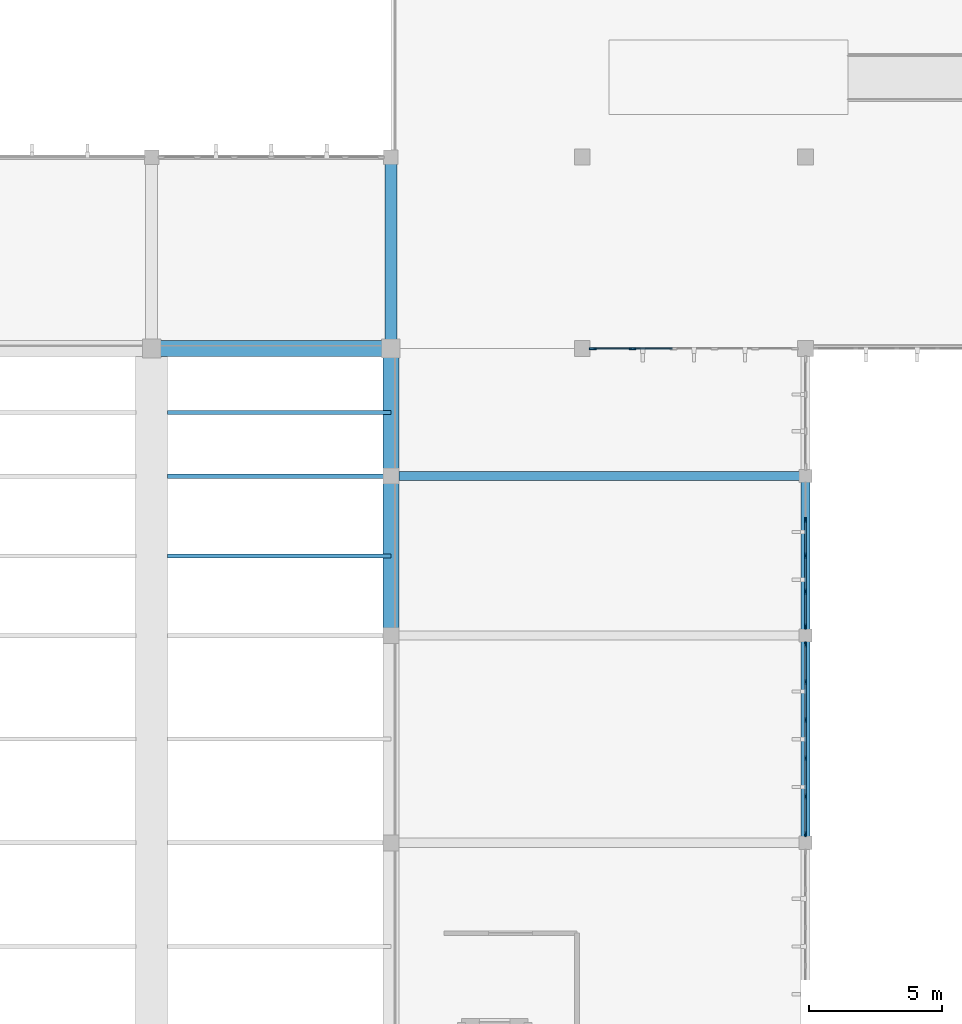
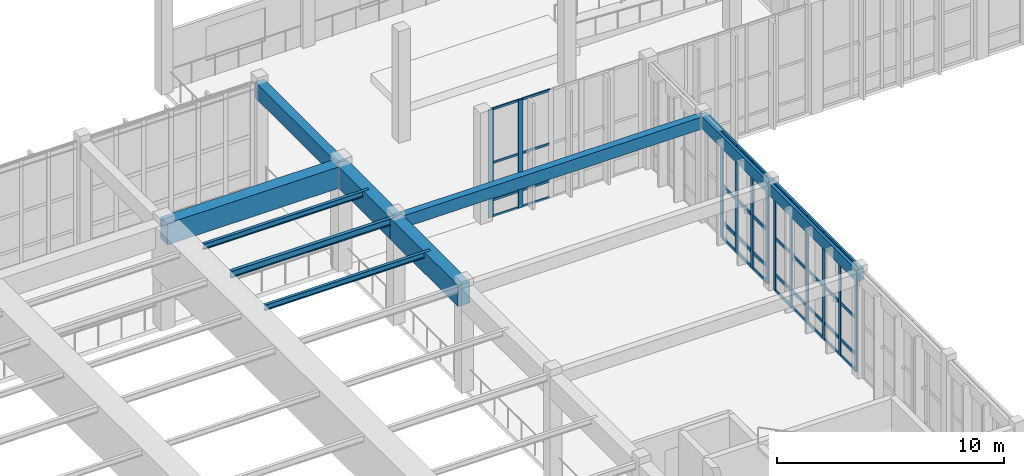
# One storey, part 45 of 105: 52 members, 10 beams, 3 elements without a shape of their own.
"""IFC4 building model written with IfcOpenShell, lengths in metres."""

from ifc_helpers import new_model, si_unit, direction, frame, origin, origin_2d, place, context, subcontext, project, spatial, rectangle, i_section, extrude, material, material_profile, profile_set, type_object, element, aggregate, save


model = new_model("IFC4")

# Units and contexts
model_context = context("Model", 3, precision=1e-05, world=origin(), true_north=direction((0.0, 1.0)))
body_context = subcontext(model_context, "Body", "Model", "MODEL_VIEW")
ifc_project = project(units=[si_unit("LENGTHUNIT", "METRE"), si_unit("AREAUNIT", "SQUARE_METRE"), si_unit("VOLUMEUNIT", "CUBIC_METRE"), si_unit("PLANEANGLEUNIT", "RADIAN"), si_unit("MASSUNIT", "GRAM", prefix="KILO")], contexts=[model_context])

# Site, building, storey
site_placement = place(None, origin())
site = spatial("IfcSite", under=ifc_project, at=site_placement, CompositionType="ELEMENT")
building_placement = place(site_placement, origin())
building = spatial("IfcBuilding", under=site, at=building_placement, Name="Tizgana Railside Sports Hall", CompositionType="ELEMENT")
storey_placement = place(building_placement, frame((0.0, 0.0, 6.0)))
storey = spatial("IfcBuildingStorey", under=building, at=storey_placement, Name="L01", CompositionType="ELEMENT", Elevation=6.0)

# Beams
ifc_material_1 = material(Name="Concrete C35/45", Category="concrete")
ifc_material_profile_1 = material_profile(ifc_material_1, rectangle(XDim=0.35009765625, YDim=0.64990234375, at=origin_2d()), Name="RCB 350x650")
ifc_profile_set_1 = profile_set([ifc_material_profile_1], Name="Concrete C35/45")
beam_type_1 = type_object("IfcBeamType", Name="Concrete Beam RCB 350x650", PredefinedType="BEAM", material=ifc_profile_set_1)
beam_1_placement = place(storey_placement, frame((133.800048828125, 68.39990234375, 5.31103515625), z_axis=(1.0, 0.0, 0.0), x_axis=(0.0, 1.0, 0.0)))
element("IfcBeam", 1, at=beam_1_placement, inside=storey, type_object=beam_type_1, Name="L01 BEM-1384", PredefinedType="BEAM", context=body_context, shape_type="SweptSolid", body=[
    extrude(rectangle(XDim=0.35009765625, YDim=0.64990234375, at=origin_2d()), origin(), (0.0, 0.0, 1.0), 15.599853515625),
])
beam_2_placement = place(storey_placement, frame((149.39990234375, 54.60009765625, 5.361083984375), z_axis=(0.0, 1.0, 0.0), x_axis=(-1.0, 0.0, 0.0)))
element("IfcBeam", 2, at=beam_2_placement, inside=storey, type_object=beam_type_1, Name="L01 BEM-1387", PredefinedType="BEAM", context=body_context, shape_type="SweptSolid", body=[
    extrude(rectangle(XDim=0.35009765625, YDim=0.64990234375, at=origin_2d()), origin(), (0.0, 0.0, 1.0), 7.7998046875),
])
beam_3_placement = place(storey_placement, frame((149.39990234375, 62.39990234375, 5.361083984375), z_axis=(0.0, 1.0, 0.0), x_axis=(-1.0, 0.0, 0.0)))
element("IfcBeam", 3, at=beam_3_placement, inside=storey, type_object=beam_type_1, Name="L01 BEM-1388", PredefinedType="BEAM", context=body_context, shape_type="SweptSolid", body=[
    extrude(rectangle(XDim=0.35009765625, YDim=0.64990234375, at=origin_2d()), origin(), (0.0, 0.0, 1.0), 6.0),
])
ifc_material_2 = material(Name="Concrete C40/50", Category="concrete")
ifc_material_profile_2 = material_profile(ifc_material_2, rectangle(XDim=0.449951171875, YDim=0.85009765625, at=origin_2d()), Name="RCB 450x850")
ifc_profile_set_2 = profile_set([ifc_material_profile_2], Name="Concrete C40/50")
beam_type_2 = type_object("IfcBeamType", Name="Concrete Beam RCB 450x850", PredefinedType="BEAM", material=ifc_profile_set_2)
beam_4_placement = place(storey_placement, frame((133.800048828125, 73.199951171875, 5.2109375), z_axis=(0.0, 1.0, 0.0), x_axis=(-1.0, 0.0, 0.0)))
element("IfcBeam", 4, at=beam_4_placement, inside=storey, type_object=beam_type_2, Name="L01 BEM-0260", PredefinedType="BEAM", context=body_context, shape_type="SweptSolid", body=[
    extrude(rectangle(XDim=0.449951171875, YDim=0.85009765625, at=origin_2d()), origin(), (0.0, 0.0, 1.0), 7.199951171875),
])
ifc_material_profile_3 = material_profile(ifc_material_2, rectangle(XDim=0.60009765625, YDim=1.14990234375, at=origin_2d()), Name="RCB 600x1150")
ifc_profile_set_3 = profile_set([ifc_material_profile_3], Name="Concrete C40/50")
beam_type_3 = type_object("IfcBeamType", Name="Concrete Beam RCB 600x1150", PredefinedType="BEAM", material=ifc_profile_set_3)
beam_5_placement = place(storey_placement, frame((133.800048828125, 62.39990234375, 5.06103515625), z_axis=(0.0, 1.0, 0.0), x_axis=(-1.0, 0.0, 0.0)))
element("IfcBeam", 5, at=beam_5_placement, inside=storey, type_object=beam_type_3, Name="L01 CBG-0009", PredefinedType="BEAM", context=body_context, shape_type="SweptSolid", body=[
    extrude(rectangle(XDim=0.60009765625, YDim=1.14990234375, at=origin_2d()), origin(), (0.0, 0.0, 1.0), 6.0),
])
beam_6_placement = place(storey_placement, frame((133.800048828125, 68.39990234375, 5.06103515625), z_axis=(0.0, 1.0, 0.0), x_axis=(-1.0, 0.0, 0.0)))
element("IfcBeam", 6, at=beam_6_placement, inside=storey, type_object=beam_type_3, Name="L01 CBG-0010", PredefinedType="BEAM", context=body_context, shape_type="SweptSolid", body=[
    extrude(rectangle(XDim=0.60009765625, YDim=1.14990234375, at=origin_2d()), origin(), (0.0, 0.0, 1.0), 4.800048828125),
])
beam_7_placement = place(storey_placement, frame((124.800048828125, 73.199951171875, 5.06103515625), z_axis=(1.0, 0.0, 0.0), x_axis=(0.0, 1.0, 0.0)))
element("IfcBeam", 7, at=beam_7_placement, inside=storey, type_object=beam_type_3, Name="L01 BEM-0326", PredefinedType="BEAM", context=body_context, shape_type="SweptSolid", body=[
    extrude(rectangle(XDim=0.60009765625, YDim=1.14990234375, at=origin_2d()), origin(), (0.0, 0.0, 1.0), 9.0),
])

# Curtain wall, members
ifc_material_3 = material(Name="Anodised aluminium and glass", Category="aluminium")
curtain_wall_type_1 = type_object("IfcCurtainWallType", Name="Unitised Curtain Wall Foyer 1300", PredefinedType="NOTDEFINED", material=ifc_material_3)
curtain_wall_1_placement = place(storey_placement, origin())
curtain_wall_1 = element("IfcCurtainWall", 8, at=curtain_wall_1_placement, inside=storey, type_object=curtain_wall_type_1, Name="L01 Curtain Wall CW-0033", PredefinedType="NOTDEFINED")
ifc_material_4 = material(Name="Anodised aluminium", Category="aluminium")
ifc_material_profile_4 = material_profile(ifc_material_4, rectangle(XDim=0.06494140625, YDim=0.199951171875, at=origin_2d()), Name="Mullion 65x200")
ifc_profile_set_4 = profile_set([ifc_material_profile_4], Name="Anodised aluminium")
member_type_1 = type_object("IfcMemberType", Name="Mullion 65x200", PredefinedType="MULLION", material=ifc_profile_set_4)
member_1_placement = place(storey_placement, frame((149.39990234375, 54.9375, 0.0), z_axis=(0.0, 0.0, 1.0), x_axis=(-1.0, 0.0, 0.0)))
member_1 = element("IfcMember", 9, at=member_1_placement, type_object=member_type_1, Name="CW-02 mullion 1", PredefinedType="MULLION", context=body_context, shape_type="SweptSolid", body=[
    extrude(rectangle(XDim=0.06494140625, YDim=0.199951171875, at=origin_2d()), origin(), (0.0, 0.0, 1.0), 5.68994140625),
])
member_2_placement = place(storey_placement, frame((149.39990234375, 56.343017578125, 0.0), z_axis=(0.0, 0.0, 1.0), x_axis=(-1.0, 0.0, 0.0)))
member_2 = element("IfcMember", 10, at=member_2_placement, type_object=member_type_1, Name="CW-02 mullion 2", PredefinedType="MULLION", context=body_context, shape_type="SweptSolid", body=[
    extrude(rectangle(XDim=0.06494140625, YDim=0.199951171875, at=origin_2d()), origin(), (0.0, 0.0, 1.0), 5.68994140625),
])
member_3_placement = place(storey_placement, frame((149.39990234375, 57.781005859375, 0.0), z_axis=(0.0, 0.0, 1.0), x_axis=(-1.0, 0.0, 0.0)))
member_3 = element("IfcMember", 11, at=member_3_placement, type_object=member_type_1, Name="CW-02 mullion 3", PredefinedType="MULLION", context=body_context, shape_type="SweptSolid", body=[
    extrude(rectangle(XDim=0.06494140625, YDim=0.199951171875, at=origin_2d()), origin(), (0.0, 0.0, 1.0), 5.68994140625),
])
member_4_placement = place(storey_placement, frame((149.39990234375, 59.218994140625, 0.0), z_axis=(0.0, 0.0, 1.0), x_axis=(-1.0, 0.0, 0.0)))
member_4 = element("IfcMember", 12, at=member_4_placement, type_object=member_type_1, Name="CW-02 mullion 4", PredefinedType="MULLION", context=body_context, shape_type="SweptSolid", body=[
    extrude(rectangle(XDim=0.06494140625, YDim=0.199951171875, at=origin_2d()), origin(), (0.0, 0.0, 1.0), 5.68994140625),
])
member_5_placement = place(storey_placement, frame((149.39990234375, 60.656982421875, 0.0), z_axis=(0.0, 0.0, 1.0), x_axis=(-1.0, 0.0, 0.0)))
member_5 = element("IfcMember", 13, at=member_5_placement, type_object=member_type_1, Name="CW-02 mullion 5", PredefinedType="MULLION", context=body_context, shape_type="SweptSolid", body=[
    extrude(rectangle(XDim=0.06494140625, YDim=0.199951171875, at=origin_2d()), origin(), (0.0, 0.0, 1.0), 5.68994140625),
])
member_6_placement = place(storey_placement, frame((149.39990234375, 62.0625, 0.0), z_axis=(0.0, 0.0, 1.0), x_axis=(-1.0, 0.0, 0.0)))
member_6 = element("IfcMember", 14, at=member_6_placement, type_object=member_type_1, Name="CW-02 mullion 6", PredefinedType="MULLION", context=body_context, shape_type="SweptSolid", body=[
    extrude(rectangle(XDim=0.06494140625, YDim=0.199951171875, at=origin_2d()), origin(), (0.0, 0.0, 1.0), 5.68994140625),
])

curtain_wall_type_2 = type_object("IfcCurtainWallType", Name="Unitised Curtain Wall Studio 1400", PredefinedType="NOTDEFINED", material=ifc_material_3)
curtain_wall_2_placement = place(storey_placement, origin())
curtain_wall_2 = element("IfcCurtainWall", 15, at=curtain_wall_2_placement, inside=storey, type_object=curtain_wall_type_2, Name="L01 Curtain Wall CW-0034", PredefinedType="NOTDEFINED")
ifc_material_profile_5 = material_profile(ifc_material_4, rectangle(XDim=0.070068359375, YDim=0.219970703125, at=origin_2d()), Name="Mullion 70x220")
ifc_profile_set_5 = profile_set([ifc_material_profile_5], Name="Anodised aluminium")
member_type_2 = type_object("IfcMemberType", Name="Mullion 70x220", PredefinedType="MULLION", material=ifc_profile_set_5)
member_7_placement = place(storey_placement, frame((149.39990234375, 62.739990234375, 0.0), z_axis=(0.0, 0.0, 1.0), x_axis=(-1.0, 0.0, 0.0)))
member_7 = element("IfcMember", 16, at=member_7_placement, type_object=member_type_2, Name="CW-03 mullion 1", PredefinedType="MULLION", context=body_context, shape_type="SweptSolid", body=[
    extrude(rectangle(XDim=0.070068359375, YDim=0.219970703125, at=origin_2d()), origin(), (0.0, 0.0, 1.0), 5.68994140625),
])
member_8_placement = place(storey_placement, frame((149.39990234375, 64.052490234375, 0.0), z_axis=(0.0, 0.0, 1.0), x_axis=(-1.0, 0.0, 0.0)))
member_8 = element("IfcMember", 17, at=member_8_placement, type_object=member_type_2, Name="CW-03 mullion 2", PredefinedType="MULLION", context=body_context, shape_type="SweptSolid", body=[
    extrude(rectangle(XDim=0.070068359375, YDim=0.219970703125, at=origin_2d()), origin(), (0.0, 0.0, 1.0), 5.68994140625),
])
member_9_placement = place(storey_placement, frame((149.39990234375, 65.39990234375, 0.0), z_axis=(0.0, 0.0, 1.0), x_axis=(-1.0, 0.0, 0.0)))
member_9 = element("IfcMember", 18, at=member_9_placement, type_object=member_type_2, Name="CW-03 mullion 3", PredefinedType="MULLION", context=body_context, shape_type="SweptSolid", body=[
    extrude(rectangle(XDim=0.070068359375, YDim=0.219970703125, at=origin_2d()), origin(), (0.0, 0.0, 1.0), 5.68994140625),
])
member_10_placement = place(storey_placement, frame((149.39990234375, 66.74755859375, 0.0), z_axis=(0.0, 0.0, 1.0), x_axis=(-1.0, 0.0, 0.0)))
member_10 = element("IfcMember", 19, at=member_10_placement, type_object=member_type_2, Name="CW-03 mullion 4", PredefinedType="MULLION", context=body_context, shape_type="SweptSolid", body=[
    extrude(rectangle(XDim=0.070068359375, YDim=0.219970703125, at=origin_2d()), origin(), (0.0, 0.0, 1.0), 5.68994140625),
])

curtain_wall_type_3 = type_object("IfcCurtainWallType", Name="Unitised Curtain Wall EastHall 1500", PredefinedType="NOTDEFINED", material=ifc_material_3)
curtain_wall_3_placement = place(storey_placement, origin())
curtain_wall_3 = element("IfcCurtainWall", 20, at=curtain_wall_3_placement, inside=storey, type_object=curtain_wall_type_3, Name="L01 Curtain Wall CW-0071", PredefinedType="NOTDEFINED")
ifc_material_profile_6 = material_profile(ifc_material_4, rectangle(XDim=0.074951171875, YDim=0.25, at=origin_2d()), Name="Mullion 75x250")
ifc_profile_set_6 = profile_set([ifc_material_profile_6], Name="Anodised aluminium")
member_type_3 = type_object("IfcMemberType", Name="Mullion 75x250", PredefinedType="MULLION", material=ifc_profile_set_6)
member_11_placement = place(storey_placement, frame((142.89306640625, 73.199951171875, 0.0), z_axis=(0.0, 0.0, 1.0), x_axis=(0.0, -1.0, 0.0)))
member_11 = element("IfcMember", 21, at=member_11_placement, type_object=member_type_3, Name="CW-08 mullion 5", PredefinedType="MULLION", context=body_context, shape_type="SweptSolid", body=[
    extrude(rectangle(XDim=0.074951171875, YDim=0.25, at=origin_2d()), origin(), (0.0, 0.0, 1.0), 5.800048828125),
])
member_12_placement = place(storey_placement, frame((141.392578125, 73.199951171875, 0.0), z_axis=(0.0, 0.0, 1.0), x_axis=(0.0, -1.0, 0.0)))
member_12 = element("IfcMember", 22, at=member_12_placement, type_object=member_type_3, Name="CW-08 mullion 6", PredefinedType="MULLION", context=body_context, shape_type="SweptSolid", body=[
    extrude(rectangle(XDim=0.074951171875, YDim=0.25, at=origin_2d()), origin(), (0.0, 0.0, 1.0), 5.800048828125),
])

# Beams
ifc_material_5 = material(Name="Steel S355J2", Category="steel")
ifc_material_profile_7 = material_profile(ifc_material_5, i_section(OverallWidth=0.14990234375, OverallDepth=0.300048828125, WebThickness=0.007080078125, FlangeThickness=0.0107421875, FilletRadius=0.014892578125, at=origin_2d()), Name="IPE 300")
ifc_profile_set_7 = profile_set([ifc_material_profile_7], Name="Steel S355J2")
beam_type_4 = type_object("IfcBeamType", Name="Steel Joist IPE 300", PredefinedType="JOIST", material=ifc_profile_set_7)
for number, where, z_axis, x_axis, name in (
    (23, (125.39501953125, 65.39990234375, 5.486083984375), (1.0, 0.0, 0.0), (0.0, 1.0, 0.0), "L01 BEM-0331"),
    (24, (125.39501953125, 70.800048828125, 5.486083984375), (1.0, 0.0, 0.0), (0.0, 1.0, 0.0), "L01 BEM-0332"),
):
    element("IfcBeam", number, at=place(storey_placement, frame(where, z_axis=z_axis, x_axis=x_axis)), inside=storey, type_object=beam_type_4, Name=name, PredefinedType="JOIST", context=body_context, shape_type="SweptSolid", body=[
        extrude(i_section(OverallWidth=0.14990234375, OverallDepth=0.300048828125, WebThickness=0.007080078125, FlangeThickness=0.0107421875, FilletRadius=0.014892578125, at=origin_2d()), origin(), (0.0, 0.0, 1.0), 8.405029296875),
    ])
ifc_material_profile_8 = material_profile(ifc_material_5, i_section(OverallWidth=0.169921875, OverallDepth=0.360107421875, WebThickness=0.008056640625, FlangeThickness=0.0126953125, FilletRadius=0.01806640625, at=origin_2d()), Name="IPE 360")
ifc_profile_set_8 = profile_set([ifc_material_profile_8], Name="Steel S355J2")
beam_type_5 = type_object("IfcBeamType", Name="Steel Joist IPE 360", PredefinedType="JOIST", material=ifc_profile_set_8)
beam_8_placement = place(storey_placement, frame((125.39501953125, 68.39990234375, 5.4560546875), z_axis=(1.0, 0.0, 0.0), x_axis=(0.0, 1.0, 0.0)))
element("IfcBeam", 25, at=beam_8_placement, inside=storey, type_object=beam_type_5, Name="L01 BEM-0325", PredefinedType="JOIST", context=body_context, shape_type="SweptSolid", body=[
    extrude(i_section(OverallWidth=0.169921875, OverallDepth=0.360107421875, WebThickness=0.008056640625, FlangeThickness=0.0126953125, FilletRadius=0.01806640625, at=origin_2d()), origin(), (0.0, 0.0, 1.0), 8.405029296875),
])

# Member
ifc_material_profile_9 = material_profile(ifc_material_4, rectangle(XDim=0.054931640625, YDim=0.1201171875, at=origin_2d()), Name="Transom 55x120")
ifc_profile_set_9 = profile_set([ifc_material_profile_9], Name="Anodised aluminium")
member_type_4 = type_object("IfcMemberType", Name="Transom 55x120", PredefinedType="USERDEFINED", material=ifc_profile_set_9)
member_13_placement = place(storey_placement, frame((144.3935546875, 73.199951171875, 0.027587890625), z_axis=(-1.0, 0.0, 0.0), x_axis=(0.0, -1.0, 0.0)))
member_13 = element("IfcMember", 26, at=member_13_placement, type_object=member_type_4, Name="CW-08 transom 4.1", ObjectType="TRANSOM", PredefinedType="USERDEFINED", context=body_context, shape_type="SweptSolid", body=[
    extrude(rectangle(XDim=0.054931640625, YDim=0.1201171875, at=origin_2d()), origin(), (0.0, 0.0, 1.0), 1.463134765625),
])

member_14_placement = place(storey_placement, frame((144.3935546875, 73.199951171875, 0.89990234375), z_axis=(-1.0, 0.0, 0.0), x_axis=(0.0, -1.0, 0.0)))
member_14 = element("IfcMember", 27, at=member_14_placement, type_object=member_type_4, Name="CW-08 transom 4.2", ObjectType="TRANSOM", PredefinedType="USERDEFINED", context=body_context, shape_type="SweptSolid", body=[
    extrude(rectangle(XDim=0.054931640625, YDim=0.1201171875, at=origin_2d()), origin(), (0.0, 0.0, 1.0), 1.463134765625),
])

member_15_placement = place(storey_placement, frame((144.3935546875, 73.199951171875, 2.89990234375), z_axis=(-1.0, 0.0, 0.0), x_axis=(0.0, -1.0, 0.0)))
member_15 = element("IfcMember", 28, at=member_15_placement, type_object=member_type_4, Name="CW-08 transom 4.3", ObjectType="TRANSOM", PredefinedType="USERDEFINED", context=body_context, shape_type="SweptSolid", body=[
    extrude(rectangle(XDim=0.054931640625, YDim=0.1201171875, at=origin_2d()), origin(), (0.0, 0.0, 1.0), 1.463134765625),
])

member_16_placement = place(storey_placement, frame((144.3935546875, 73.199951171875, 5.7724609375), z_axis=(-1.0, 0.0, 0.0), x_axis=(0.0, -1.0, 0.0)))
member_16 = element("IfcMember", 29, at=member_16_placement, type_object=member_type_4, Name="CW-08 transom 4.4", ObjectType="TRANSOM", PredefinedType="USERDEFINED", context=body_context, shape_type="SweptSolid", body=[
    extrude(rectangle(XDim=0.054931640625, YDim=0.1201171875, at=origin_2d()), origin(), (0.0, 0.0, 1.0), 1.463134765625),
])

member_17_placement = place(storey_placement, frame((142.85546875, 73.199951171875, 0.027587890625), z_axis=(-1.0, 0.0, 0.0), x_axis=(0.0, -1.0, 0.0)))
member_17 = element("IfcMember", 30, at=member_17_placement, type_object=member_type_4, Name="CW-08 transom 5.1", ObjectType="TRANSOM", PredefinedType="USERDEFINED", context=body_context, shape_type="SweptSolid", body=[
    extrude(rectangle(XDim=0.054931640625, YDim=0.1201171875, at=origin_2d()), origin(), (0.0, 0.0, 1.0), 1.425537109375),
])

member_18_placement = place(storey_placement, frame((142.85546875, 73.199951171875, 0.89990234375), z_axis=(-1.0, 0.0, 0.0), x_axis=(0.0, -1.0, 0.0)))
member_18 = element("IfcMember", 31, at=member_18_placement, type_object=member_type_4, Name="CW-08 transom 5.2", ObjectType="TRANSOM", PredefinedType="USERDEFINED", context=body_context, shape_type="SweptSolid", body=[
    extrude(rectangle(XDim=0.054931640625, YDim=0.1201171875, at=origin_2d()), origin(), (0.0, 0.0, 1.0), 1.425537109375),
])

member_19_placement = place(storey_placement, frame((142.85546875, 73.199951171875, 2.89990234375), z_axis=(-1.0, 0.0, 0.0), x_axis=(0.0, -1.0, 0.0)))
member_19 = element("IfcMember", 32, at=member_19_placement, type_object=member_type_4, Name="CW-08 transom 5.3", ObjectType="TRANSOM", PredefinedType="USERDEFINED", context=body_context, shape_type="SweptSolid", body=[
    extrude(rectangle(XDim=0.054931640625, YDim=0.1201171875, at=origin_2d()), origin(), (0.0, 0.0, 1.0), 1.425537109375),
])

member_20_placement = place(storey_placement, frame((142.85546875, 73.199951171875, 5.7724609375), z_axis=(-1.0, 0.0, 0.0), x_axis=(0.0, -1.0, 0.0)))
member_20 = element("IfcMember", 33, at=member_20_placement, type_object=member_type_4, Name="CW-08 transom 5.4", ObjectType="TRANSOM", PredefinedType="USERDEFINED", context=body_context, shape_type="SweptSolid", body=[
    extrude(rectangle(XDim=0.054931640625, YDim=0.1201171875, at=origin_2d()), origin(), (0.0, 0.0, 1.0), 1.425537109375),
])

aggregate(curtain_wall_3, [member_11, member_12, member_13, member_14, member_15, member_16, member_17, member_18, member_19, member_20])

ifc_material_profile_10 = material_profile(ifc_material_4, rectangle(XDim=0.06494140625, YDim=0.169921875, at=origin_2d()), Name="Transom 65x170")
ifc_profile_set_10 = profile_set([ifc_material_profile_10], Name="Anodised aluminium")
member_type_5 = type_object("IfcMemberType", Name="Transom 65x170", PredefinedType="USERDEFINED", material=ifc_profile_set_10)
member_21_placement = place(storey_placement, frame((149.39990234375, 54.969970703125, 0.032470703125), z_axis=(0.0, 1.0, 0.0), x_axis=(-1.0, 0.0, 0.0)))
member_21 = element("IfcMember", 34, at=member_21_placement, type_object=member_type_5, Name="CW-02 transom 1.1", ObjectType="TRANSOM", PredefinedType="USERDEFINED", context=body_context, shape_type="SweptSolid", body=[
    extrude(rectangle(XDim=0.06494140625, YDim=0.169921875, at=origin_2d()), origin(), (0.0, 0.0, 1.0), 1.340576171875),
])

member_22_placement = place(storey_placement, frame((149.39990234375, 54.969970703125, 0.89990234375), z_axis=(0.0, 1.0, 0.0), x_axis=(-1.0, 0.0, 0.0)))
member_22 = element("IfcMember", 35, at=member_22_placement, type_object=member_type_5, Name="CW-02 transom 1.2", ObjectType="TRANSOM", PredefinedType="USERDEFINED", context=body_context, shape_type="SweptSolid", body=[
    extrude(rectangle(XDim=0.06494140625, YDim=0.169921875, at=origin_2d()), origin(), (0.0, 0.0, 1.0), 1.340576171875),
])

member_23_placement = place(storey_placement, frame((149.39990234375, 54.969970703125, 2.844970703125), z_axis=(0.0, 1.0, 0.0), x_axis=(-1.0, 0.0, 0.0)))
member_23 = element("IfcMember", 36, at=member_23_placement, type_object=member_type_5, Name="CW-02 transom 1.3", ObjectType="TRANSOM", PredefinedType="USERDEFINED", context=body_context, shape_type="SweptSolid", body=[
    extrude(rectangle(XDim=0.06494140625, YDim=0.169921875, at=origin_2d()), origin(), (0.0, 0.0, 1.0), 1.340576171875),
])

member_24_placement = place(storey_placement, frame((149.39990234375, 54.969970703125, 5.657470703125), z_axis=(0.0, 1.0, 0.0), x_axis=(-1.0, 0.0, 0.0)))
member_24 = element("IfcMember", 37, at=member_24_placement, type_object=member_type_5, Name="CW-02 transom 1.4", ObjectType="TRANSOM", PredefinedType="USERDEFINED", context=body_context, shape_type="SweptSolid", body=[
    extrude(rectangle(XDim=0.06494140625, YDim=0.169921875, at=origin_2d()), origin(), (0.0, 0.0, 1.0), 1.340576171875),
])

member_25_placement = place(storey_placement, frame((149.39990234375, 56.37548828125, 0.032470703125), z_axis=(0.0, 1.0, 0.0), x_axis=(-1.0, 0.0, 0.0)))
member_25 = element("IfcMember", 38, at=member_25_placement, type_object=member_type_5, Name="CW-02 transom 2.1", ObjectType="TRANSOM", PredefinedType="USERDEFINED", context=body_context, shape_type="SweptSolid", body=[
    extrude(rectangle(XDim=0.06494140625, YDim=0.169921875, at=origin_2d()), origin(), (0.0, 0.0, 1.0), 1.373046875),
])

member_26_placement = place(storey_placement, frame((149.39990234375, 56.37548828125, 0.89990234375), z_axis=(0.0, 1.0, 0.0), x_axis=(-1.0, 0.0, 0.0)))
member_26 = element("IfcMember", 39, at=member_26_placement, type_object=member_type_5, Name="CW-02 transom 2.2", ObjectType="TRANSOM", PredefinedType="USERDEFINED", context=body_context, shape_type="SweptSolid", body=[
    extrude(rectangle(XDim=0.06494140625, YDim=0.169921875, at=origin_2d()), origin(), (0.0, 0.0, 1.0), 1.373046875),
])

member_27_placement = place(storey_placement, frame((149.39990234375, 56.37548828125, 2.844970703125), z_axis=(0.0, 1.0, 0.0), x_axis=(-1.0, 0.0, 0.0)))
member_27 = element("IfcMember", 40, at=member_27_placement, type_object=member_type_5, Name="CW-02 transom 2.3", ObjectType="TRANSOM", PredefinedType="USERDEFINED", context=body_context, shape_type="SweptSolid", body=[
    extrude(rectangle(XDim=0.06494140625, YDim=0.169921875, at=origin_2d()), origin(), (0.0, 0.0, 1.0), 1.373046875),
])

member_28_placement = place(storey_placement, frame((149.39990234375, 56.37548828125, 5.657470703125), z_axis=(0.0, 1.0, 0.0), x_axis=(-1.0, 0.0, 0.0)))
member_28 = element("IfcMember", 41, at=member_28_placement, type_object=member_type_5, Name="CW-02 transom 2.4", ObjectType="TRANSOM", PredefinedType="USERDEFINED", context=body_context, shape_type="SweptSolid", body=[
    extrude(rectangle(XDim=0.06494140625, YDim=0.169921875, at=origin_2d()), origin(), (0.0, 0.0, 1.0), 1.373046875),
])

member_29_placement = place(storey_placement, frame((149.39990234375, 57.8134765625, 0.032470703125), z_axis=(0.0, 1.0, 0.0), x_axis=(-1.0, 0.0, 0.0)))
member_29 = element("IfcMember", 42, at=member_29_placement, type_object=member_type_5, Name="CW-02 transom 3.1", ObjectType="TRANSOM", PredefinedType="USERDEFINED", context=body_context, shape_type="SweptSolid", body=[
    extrude(rectangle(XDim=0.06494140625, YDim=0.169921875, at=origin_2d()), origin(), (0.0, 0.0, 1.0), 1.373046875),
])

member_30_placement = place(storey_placement, frame((149.39990234375, 57.8134765625, 0.89990234375), z_axis=(0.0, 1.0, 0.0), x_axis=(-1.0, 0.0, 0.0)))
member_30 = element("IfcMember", 43, at=member_30_placement, type_object=member_type_5, Name="CW-02 transom 3.2", ObjectType="TRANSOM", PredefinedType="USERDEFINED", context=body_context, shape_type="SweptSolid", body=[
    extrude(rectangle(XDim=0.06494140625, YDim=0.169921875, at=origin_2d()), origin(), (0.0, 0.0, 1.0), 1.373046875),
])

member_31_placement = place(storey_placement, frame((149.39990234375, 57.8134765625, 2.844970703125), z_axis=(0.0, 1.0, 0.0), x_axis=(-1.0, 0.0, 0.0)))
member_31 = element("IfcMember", 44, at=member_31_placement, type_object=member_type_5, Name="CW-02 transom 3.3", ObjectType="TRANSOM", PredefinedType="USERDEFINED", context=body_context, shape_type="SweptSolid", body=[
    extrude(rectangle(XDim=0.06494140625, YDim=0.169921875, at=origin_2d()), origin(), (0.0, 0.0, 1.0), 1.373046875),
])

member_32_placement = place(storey_placement, frame((149.39990234375, 57.8134765625, 5.657470703125), z_axis=(0.0, 1.0, 0.0), x_axis=(-1.0, 0.0, 0.0)))
member_32 = element("IfcMember", 45, at=member_32_placement, type_object=member_type_5, Name="CW-02 transom 3.4", ObjectType="TRANSOM", PredefinedType="USERDEFINED", context=body_context, shape_type="SweptSolid", body=[
    extrude(rectangle(XDim=0.06494140625, YDim=0.169921875, at=origin_2d()), origin(), (0.0, 0.0, 1.0), 1.373046875),
])

member_33_placement = place(storey_placement, frame((149.39990234375, 59.25146484375, 0.032470703125), z_axis=(0.0, 1.0, 0.0), x_axis=(-1.0, 0.0, 0.0)))
member_33 = element("IfcMember", 46, at=member_33_placement, type_object=member_type_5, Name="CW-02 transom 4.1", ObjectType="TRANSOM", PredefinedType="USERDEFINED", context=body_context, shape_type="SweptSolid", body=[
    extrude(rectangle(XDim=0.06494140625, YDim=0.169921875, at=origin_2d()), origin(), (0.0, 0.0, 1.0), 1.373046875),
])

member_34_placement = place(storey_placement, frame((149.39990234375, 59.25146484375, 0.89990234375), z_axis=(0.0, 1.0, 0.0), x_axis=(-1.0, 0.0, 0.0)))
member_34 = element("IfcMember", 47, at=member_34_placement, type_object=member_type_5, Name="CW-02 transom 4.2", ObjectType="TRANSOM", PredefinedType="USERDEFINED", context=body_context, shape_type="SweptSolid", body=[
    extrude(rectangle(XDim=0.06494140625, YDim=0.169921875, at=origin_2d()), origin(), (0.0, 0.0, 1.0), 1.373046875),
])

member_35_placement = place(storey_placement, frame((149.39990234375, 59.25146484375, 2.844970703125), z_axis=(0.0, 1.0, 0.0), x_axis=(-1.0, 0.0, 0.0)))
member_35 = element("IfcMember", 48, at=member_35_placement, type_object=member_type_5, Name="CW-02 transom 4.3", ObjectType="TRANSOM", PredefinedType="USERDEFINED", context=body_context, shape_type="SweptSolid", body=[
    extrude(rectangle(XDim=0.06494140625, YDim=0.169921875, at=origin_2d()), origin(), (0.0, 0.0, 1.0), 1.373046875),
])

member_36_placement = place(storey_placement, frame((149.39990234375, 59.25146484375, 5.657470703125), z_axis=(0.0, 1.0, 0.0), x_axis=(-1.0, 0.0, 0.0)))
member_36 = element("IfcMember", 49, at=member_36_placement, type_object=member_type_5, Name="CW-02 transom 4.4", ObjectType="TRANSOM", PredefinedType="USERDEFINED", context=body_context, shape_type="SweptSolid", body=[
    extrude(rectangle(XDim=0.06494140625, YDim=0.169921875, at=origin_2d()), origin(), (0.0, 0.0, 1.0), 1.373046875),
])

member_37_placement = place(storey_placement, frame((149.39990234375, 60.689453125, 0.032470703125), z_axis=(0.0, 1.0, 0.0), x_axis=(-1.0, 0.0, 0.0)))
member_37 = element("IfcMember", 50, at=member_37_placement, type_object=member_type_5, Name="CW-02 transom 5.1", ObjectType="TRANSOM", PredefinedType="USERDEFINED", context=body_context, shape_type="SweptSolid", body=[
    extrude(rectangle(XDim=0.06494140625, YDim=0.169921875, at=origin_2d()), origin(), (0.0, 0.0, 1.0), 1.340576171875),
])

member_38_placement = place(storey_placement, frame((149.39990234375, 60.689453125, 0.89990234375), z_axis=(0.0, 1.0, 0.0), x_axis=(-1.0, 0.0, 0.0)))
member_38 = element("IfcMember", 51, at=member_38_placement, type_object=member_type_5, Name="CW-02 transom 5.2", ObjectType="TRANSOM", PredefinedType="USERDEFINED", context=body_context, shape_type="SweptSolid", body=[
    extrude(rectangle(XDim=0.06494140625, YDim=0.169921875, at=origin_2d()), origin(), (0.0, 0.0, 1.0), 1.340576171875),
])

member_39_placement = place(storey_placement, frame((149.39990234375, 60.689453125, 2.844970703125), z_axis=(0.0, 1.0, 0.0), x_axis=(-1.0, 0.0, 0.0)))
member_39 = element("IfcMember", 52, at=member_39_placement, type_object=member_type_5, Name="CW-02 transom 5.3", ObjectType="TRANSOM", PredefinedType="USERDEFINED", context=body_context, shape_type="SweptSolid", body=[
    extrude(rectangle(XDim=0.06494140625, YDim=0.169921875, at=origin_2d()), origin(), (0.0, 0.0, 1.0), 1.340576171875),
])

member_40_placement = place(storey_placement, frame((149.39990234375, 60.689453125, 5.657470703125), z_axis=(0.0, 1.0, 0.0), x_axis=(-1.0, 0.0, 0.0)))
member_40 = element("IfcMember", 53, at=member_40_placement, type_object=member_type_5, Name="CW-02 transom 5.4", ObjectType="TRANSOM", PredefinedType="USERDEFINED", context=body_context, shape_type="SweptSolid", body=[
    extrude(rectangle(XDim=0.06494140625, YDim=0.169921875, at=origin_2d()), origin(), (0.0, 0.0, 1.0), 1.340576171875),
])

aggregate(curtain_wall_1, [member_1, member_2, member_3, member_4, member_5, member_6, member_21, member_22, member_23, member_24, member_25, member_26, member_27, member_28, member_29, member_30, member_31, member_32, member_33, member_34, member_35, member_36, member_37, member_38, member_39, member_40])

ifc_material_profile_11 = material_profile(ifc_material_4, rectangle(XDim=0.070068359375, YDim=0.18994140625, at=origin_2d()), Name="Transom 70x190")
ifc_profile_set_11 = profile_set([ifc_material_profile_11], Name="Anodised aluminium")
member_type_6 = type_object("IfcMemberType", Name="Transom 70x190", PredefinedType="USERDEFINED", material=ifc_profile_set_11)
member_41_placement = place(storey_placement, frame((149.39990234375, 62.77490234375, 0.034912109375), z_axis=(0.0, 1.0, 0.0), x_axis=(-1.0, 0.0, 0.0)))
member_41 = element("IfcMember", 54, at=member_41_placement, type_object=member_type_6, Name="CW-03 transom 1.1", ObjectType="TRANSOM", PredefinedType="USERDEFINED", context=body_context, shape_type="SweptSolid", body=[
    extrude(rectangle(XDim=0.070068359375, YDim=0.18994140625, at=origin_2d()), origin(), (0.0, 0.0, 1.0), 1.24267578125),
])

member_42_placement = place(storey_placement, frame((149.39990234375, 62.77490234375, 0.89990234375), z_axis=(0.0, 1.0, 0.0), x_axis=(-1.0, 0.0, 0.0)))
member_42 = element("IfcMember", 55, at=member_42_placement, type_object=member_type_6, Name="CW-03 transom 1.2", ObjectType="TRANSOM", PredefinedType="USERDEFINED", context=body_context, shape_type="SweptSolid", body=[
    extrude(rectangle(XDim=0.070068359375, YDim=0.18994140625, at=origin_2d()), origin(), (0.0, 0.0, 1.0), 1.24267578125),
])

member_43_placement = place(storey_placement, frame((149.39990234375, 62.77490234375, 2.844970703125), z_axis=(0.0, 1.0, 0.0), x_axis=(-1.0, 0.0, 0.0)))
member_43 = element("IfcMember", 56, at=member_43_placement, type_object=member_type_6, Name="CW-03 transom 1.3", ObjectType="TRANSOM", PredefinedType="USERDEFINED", context=body_context, shape_type="SweptSolid", body=[
    extrude(rectangle(XDim=0.070068359375, YDim=0.18994140625, at=origin_2d()), origin(), (0.0, 0.0, 1.0), 1.24267578125),
])

member_44_placement = place(storey_placement, frame((149.39990234375, 62.77490234375, 5.655029296875), z_axis=(0.0, 1.0, 0.0), x_axis=(-1.0, 0.0, 0.0)))
member_44 = element("IfcMember", 57, at=member_44_placement, type_object=member_type_6, Name="CW-03 transom 1.4", ObjectType="TRANSOM", PredefinedType="USERDEFINED", context=body_context, shape_type="SweptSolid", body=[
    extrude(rectangle(XDim=0.070068359375, YDim=0.18994140625, at=origin_2d()), origin(), (0.0, 0.0, 1.0), 1.24267578125),
])

member_45_placement = place(storey_placement, frame((149.39990234375, 64.08740234375, 0.034912109375), z_axis=(0.0, 1.0, 0.0), x_axis=(-1.0, 0.0, 0.0)))
member_45 = element("IfcMember", 58, at=member_45_placement, type_object=member_type_6, Name="CW-03 transom 2.1", ObjectType="TRANSOM", PredefinedType="USERDEFINED", context=body_context, shape_type="SweptSolid", body=[
    extrude(rectangle(XDim=0.070068359375, YDim=0.18994140625, at=origin_2d()), origin(), (0.0, 0.0, 1.0), 1.277587890625),
])

member_46_placement = place(storey_placement, frame((149.39990234375, 64.08740234375, 0.89990234375), z_axis=(0.0, 1.0, 0.0), x_axis=(-1.0, 0.0, 0.0)))
member_46 = element("IfcMember", 59, at=member_46_placement, type_object=member_type_6, Name="CW-03 transom 2.2", ObjectType="TRANSOM", PredefinedType="USERDEFINED", context=body_context, shape_type="SweptSolid", body=[
    extrude(rectangle(XDim=0.070068359375, YDim=0.18994140625, at=origin_2d()), origin(), (0.0, 0.0, 1.0), 1.277587890625),
])

member_47_placement = place(storey_placement, frame((149.39990234375, 64.08740234375, 2.844970703125), z_axis=(0.0, 1.0, 0.0), x_axis=(-1.0, 0.0, 0.0)))
member_47 = element("IfcMember", 60, at=member_47_placement, type_object=member_type_6, Name="CW-03 transom 2.3", ObjectType="TRANSOM", PredefinedType="USERDEFINED", context=body_context, shape_type="SweptSolid", body=[
    extrude(rectangle(XDim=0.070068359375, YDim=0.18994140625, at=origin_2d()), origin(), (0.0, 0.0, 1.0), 1.277587890625),
])

member_48_placement = place(storey_placement, frame((149.39990234375, 64.08740234375, 5.655029296875), z_axis=(0.0, 1.0, 0.0), x_axis=(-1.0, 0.0, 0.0)))
member_48 = element("IfcMember", 61, at=member_48_placement, type_object=member_type_6, Name="CW-03 transom 2.4", ObjectType="TRANSOM", PredefinedType="USERDEFINED", context=body_context, shape_type="SweptSolid", body=[
    extrude(rectangle(XDim=0.070068359375, YDim=0.18994140625, at=origin_2d()), origin(), (0.0, 0.0, 1.0), 1.277587890625),
])

member_49_placement = place(storey_placement, frame((149.39990234375, 65.43505859375, 0.034912109375), z_axis=(0.0, 1.0, 0.0), x_axis=(-1.0, 0.0, 0.0)))
member_49 = element("IfcMember", 62, at=member_49_placement, type_object=member_type_6, Name="CW-03 transom 3.1", ObjectType="TRANSOM", PredefinedType="USERDEFINED", context=body_context, shape_type="SweptSolid", body=[
    extrude(rectangle(XDim=0.070068359375, YDim=0.18994140625, at=origin_2d()), origin(), (0.0, 0.0, 1.0), 1.27734375),
])

member_50_placement = place(storey_placement, frame((149.39990234375, 65.43505859375, 0.89990234375), z_axis=(0.0, 1.0, 0.0), x_axis=(-1.0, 0.0, 0.0)))
member_50 = element("IfcMember", 63, at=member_50_placement, type_object=member_type_6, Name="CW-03 transom 3.2", ObjectType="TRANSOM", PredefinedType="USERDEFINED", context=body_context, shape_type="SweptSolid", body=[
    extrude(rectangle(XDim=0.070068359375, YDim=0.18994140625, at=origin_2d()), origin(), (0.0, 0.0, 1.0), 1.27734375),
])

member_51_placement = place(storey_placement, frame((149.39990234375, 65.43505859375, 2.844970703125), z_axis=(0.0, 1.0, 0.0), x_axis=(-1.0, 0.0, 0.0)))
member_51 = element("IfcMember", 64, at=member_51_placement, type_object=member_type_6, Name="CW-03 transom 3.3", ObjectType="TRANSOM", PredefinedType="USERDEFINED", context=body_context, shape_type="SweptSolid", body=[
    extrude(rectangle(XDim=0.070068359375, YDim=0.18994140625, at=origin_2d()), origin(), (0.0, 0.0, 1.0), 1.27734375),
])

member_52_placement = place(storey_placement, frame((149.39990234375, 65.43505859375, 5.655029296875), z_axis=(0.0, 1.0, 0.0), x_axis=(-1.0, 0.0, 0.0)))
member_52 = element("IfcMember", 65, at=member_52_placement, type_object=member_type_6, Name="CW-03 transom 3.4", ObjectType="TRANSOM", PredefinedType="USERDEFINED", context=body_context, shape_type="SweptSolid", body=[
    extrude(rectangle(XDim=0.070068359375, YDim=0.18994140625, at=origin_2d()), origin(), (0.0, 0.0, 1.0), 1.27734375),
])

aggregate(curtain_wall_2, [member_7, member_8, member_9, member_10, member_41, member_42, member_43, member_44, member_45, member_46, member_47, member_48, member_49, member_50, member_51, member_52])

save(model, "model.ifc")
